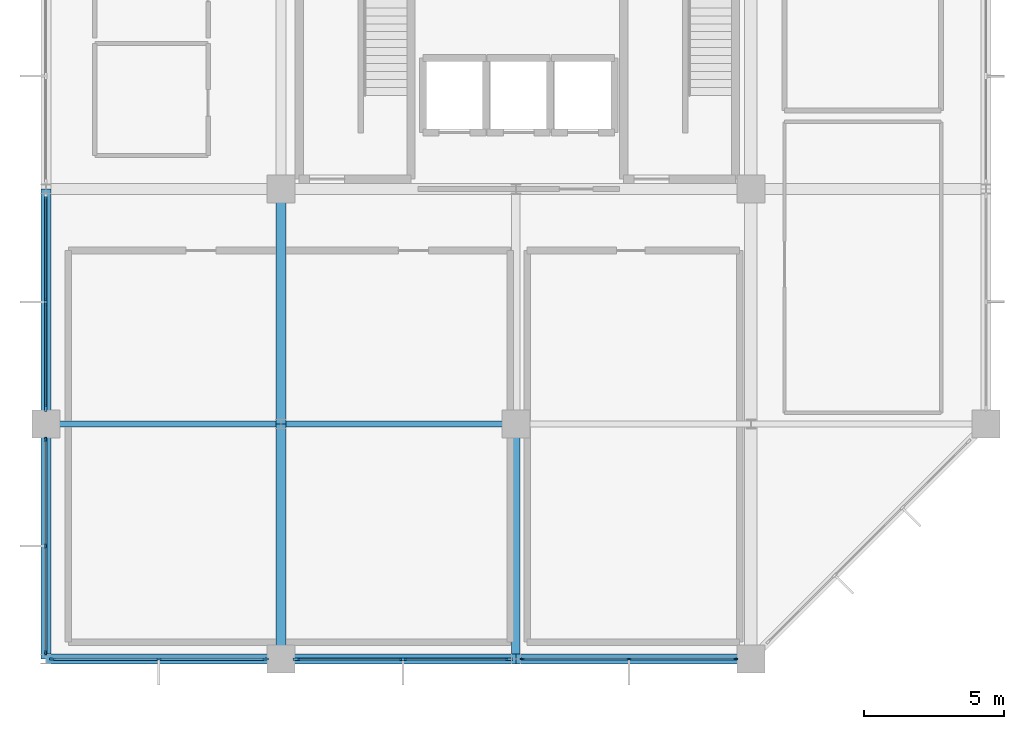
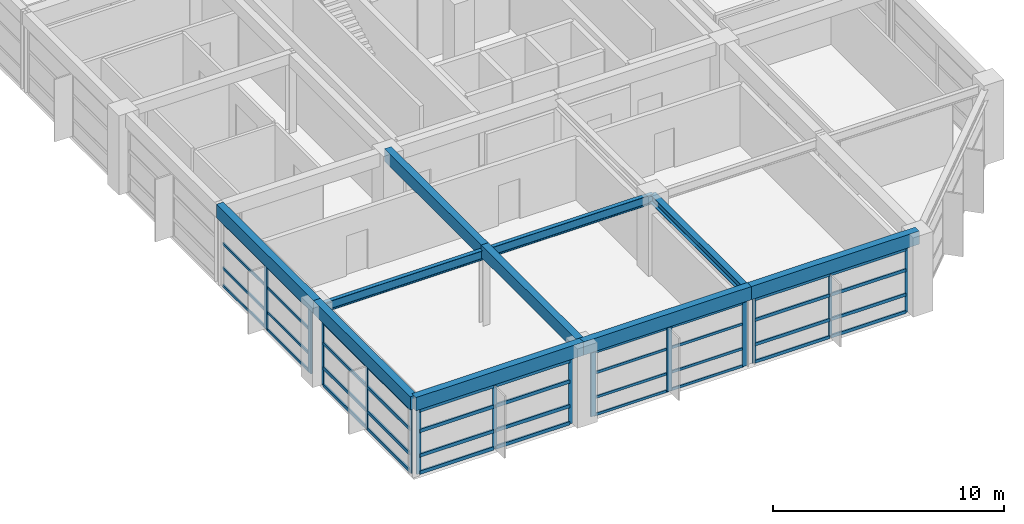
# One storey, part 3 of 16: 54 members, 10 beams, 5 elements without a shape of their own.
"""IFC4 building model written with IfcOpenShell, lengths in metres."""

from ifc_helpers import new_model, si_unit, direction, frame, origin, origin_2d, place, context, subcontext, project, spatial, rectangle, i_section, extrude, material, material_profile, profile_set, type_object, element, aggregate, save


model = new_model("IFC4")

# Units and contexts
model_context = context("Model", 3, precision=1e-05, world=origin(), true_north=direction((0.0, 1.0)))
body_context = subcontext(model_context, "Body", "Model", "MODEL_VIEW")
ifc_project = project(units=[si_unit("LENGTHUNIT", "METRE"), si_unit("AREAUNIT", "SQUARE_METRE"), si_unit("VOLUMEUNIT", "CUBIC_METRE"), si_unit("PLANEANGLEUNIT", "RADIAN"), si_unit("MASSUNIT", "GRAM", prefix="KILO")], contexts=[model_context])

# Site, building, storey
site_placement = place(None, origin())
site = spatial("IfcSite", under=ifc_project, at=site_placement, CompositionType="ELEMENT")
building_placement = place(site_placement, origin())
building = spatial("IfcBuilding", under=site, at=building_placement, Name="Xuanlan Plaza Opera House", CompositionType="ELEMENT")
storey_placement = place(building_placement, frame((0.0, 0.0, 48.89990234375)))
storey = spatial("IfcBuildingStorey", under=building, at=storey_placement, Name="L11", CompositionType="ELEMENT", Elevation=48.89990234375)

# Curtain wall, members
ifc_material_1 = material(Name="Anodised Aluminium 6063-T6 and Low-E Glass", Category="aluminium")
curtain_wall_type_1 = type_object("IfcCurtainWallType", Name="ENV-CW-CW-04", PredefinedType="USERDEFINED", material=ifc_material_1)
curtain_wall_1_placement = place(storey_placement, origin())
curtain_wall_1 = element("IfcCurtainWall", 1, at=curtain_wall_1_placement, inside=storey, type_object=curtain_wall_type_1, Name="Unitised Curtain Wall L11-003", ObjectType="UNITISED CURTAIN WALL", PredefinedType="USERDEFINED")
ifc_material_2 = material(Name="Anodised Aluminium 6063-T6", Category="aluminium")
ifc_material_profile_1 = material_profile(ifc_material_2, rectangle(XDim=0.06494140625, YDim=0.159912109375, at=origin_2d()), Name="ALU-M 65x160")
ifc_profile_set_1 = profile_set([ifc_material_profile_1], Name="Anodised Aluminium 6063-T6")
member_type_1 = type_object("IfcMemberType", Name="ENV-CWM-01", PredefinedType="MULLION", material=ifc_profile_set_1)
member_1_placement = place(storey_placement, frame((143.027587890625, 33.60009765625, 0.0), z_axis=(0.0, 0.0, 1.0), x_axis=(0.0, 1.0, 0.0)))
member_1 = element("IfcMember", 2, at=member_1_placement, type_object=member_type_1, Name="CW-04 mullion 1", PredefinedType="MULLION", context=body_context, shape_type="SweptSolid", body=[
    extrude(rectangle(XDim=0.06494140625, YDim=0.159912109375, at=origin_2d()), origin(), (0.0, 0.0, 1.0), 3.380126953125),
])
member_2_placement = place(storey_placement, frame((146.83740234375, 33.60009765625, 0.0), z_axis=(0.0, 0.0, 1.0), x_axis=(0.0, 1.0, 0.0)))
member_2 = element("IfcMember", 3, at=member_2_placement, type_object=member_type_1, Name="CW-04 mullion 2", PredefinedType="MULLION", context=body_context, shape_type="SweptSolid", body=[
    extrude(rectangle(XDim=0.06494140625, YDim=0.159912109375, at=origin_2d()), origin(), (0.0, 0.0, 1.0), 3.380126953125),
])
member_3_placement = place(storey_placement, frame((150.6474609375, 33.60009765625, 0.0), z_axis=(0.0, 0.0, 1.0), x_axis=(0.0, 1.0, 0.0)))
member_3 = element("IfcMember", 4, at=member_3_placement, type_object=member_type_1, Name="CW-04 mullion 3", PredefinedType="MULLION", context=body_context, shape_type="SweptSolid", body=[
    extrude(rectangle(XDim=0.06494140625, YDim=0.159912109375, at=origin_2d()), origin(), (0.0, 0.0, 1.0), 3.380126953125),
])

curtain_wall_type_2 = type_object("IfcCurtainWallType", Name="ENV-CW-CW-03", PredefinedType="USERDEFINED", material=ifc_material_1)
curtain_wall_2_placement = place(storey_placement, origin())
curtain_wall_2 = element("IfcCurtainWall", 5, at=curtain_wall_2_placement, inside=storey, type_object=curtain_wall_type_2, Name="Unitised Curtain Wall L11-018", ObjectType="UNITISED CURTAIN WALL", PredefinedType="USERDEFINED")
member_4_placement = place(storey_placement, frame((126.0, 41.447509765625, 0.0), z_axis=(0.0, 0.0, 1.0), x_axis=(1.0, 0.0, 0.0)))
member_4 = element("IfcMember", 6, at=member_4_placement, type_object=member_type_1, Name="CW-03 mullion 1", PredefinedType="MULLION", context=body_context, shape_type="SweptSolid", body=[
    extrude(rectangle(XDim=0.06494140625, YDim=0.159912109375, at=origin_2d()), origin(), (0.0, 0.0, 1.0), 3.380126953125),
])
member_5_placement = place(storey_placement, frame((126.0, 37.637451171875, 0.0), z_axis=(0.0, 0.0, 1.0), x_axis=(1.0, 0.0, 0.0)))
member_5 = element("IfcMember", 7, at=member_5_placement, type_object=member_type_1, Name="CW-03 mullion 2", PredefinedType="MULLION", context=body_context, shape_type="SweptSolid", body=[
    extrude(rectangle(XDim=0.06494140625, YDim=0.159912109375, at=origin_2d()), origin(), (0.0, 0.0, 1.0), 3.380126953125),
])
member_6_placement = place(storey_placement, frame((126.0, 33.827392578125, 0.0), z_axis=(0.0, 0.0, 1.0), x_axis=(1.0, 0.0, 0.0)))
member_6 = element("IfcMember", 8, at=member_6_placement, type_object=member_type_1, Name="CW-03 mullion 3", PredefinedType="MULLION", context=body_context, shape_type="SweptSolid", body=[
    extrude(rectangle(XDim=0.06494140625, YDim=0.159912109375, at=origin_2d()), origin(), (0.0, 0.0, 1.0), 3.380126953125),
])

curtain_wall_type_3 = type_object("IfcCurtainWallType", Name="ENV-CW-CW-02", PredefinedType="USERDEFINED", material=ifc_material_1)
curtain_wall_3_placement = place(storey_placement, origin())
curtain_wall_3 = element("IfcCurtainWall", 9, at=curtain_wall_3_placement, inside=storey, type_object=curtain_wall_type_3, Name="Unitised Curtain Wall L11-001", ObjectType="UNITISED CURTAIN WALL", PredefinedType="USERDEFINED")
ifc_material_profile_2 = material_profile(ifc_material_2, rectangle(XDim=0.080078125, YDim=0.219970703125, at=origin_2d()), Name="ALU-M 80x220")
ifc_profile_set_2 = profile_set([ifc_material_profile_2], Name="Anodised Aluminium 6063-T6")
member_type_2 = type_object("IfcMemberType", Name="ENV-CWM-04", PredefinedType="MULLION", material=ifc_profile_set_2)
member_7_placement = place(storey_placement, frame((126.235107421875, 33.60009765625, 0.0), z_axis=(0.0, 0.0, 1.0), x_axis=(0.0, 1.0, 0.0)))
member_7 = element("IfcMember", 10, at=member_7_placement, type_object=member_type_2, Name="CW-02 mullion 1", PredefinedType="MULLION", context=body_context, shape_type="SweptSolid", body=[
    extrude(rectangle(XDim=0.080078125, YDim=0.219970703125, at=origin_2d()), origin(), (0.0, 0.0, 1.0), 3.380126953125),
])
member_8_placement = place(storey_placement, frame((130.03759765625, 33.60009765625, 0.0), z_axis=(0.0, 0.0, 1.0), x_axis=(0.0, 1.0, 0.0)))
member_8 = element("IfcMember", 11, at=member_8_placement, type_object=member_type_2, Name="CW-02 mullion 2", PredefinedType="MULLION", context=body_context, shape_type="SweptSolid", body=[
    extrude(rectangle(XDim=0.080078125, YDim=0.219970703125, at=origin_2d()), origin(), (0.0, 0.0, 1.0), 3.380126953125),
])
member_9_placement = place(storey_placement, frame((133.840087890625, 33.60009765625, 0.0), z_axis=(0.0, 0.0, 1.0), x_axis=(0.0, 1.0, 0.0)))
member_9 = element("IfcMember", 12, at=member_9_placement, type_object=member_type_2, Name="CW-02 mullion 3", PredefinedType="MULLION", context=body_context, shape_type="SweptSolid", body=[
    extrude(rectangle(XDim=0.080078125, YDim=0.219970703125, at=origin_2d()), origin(), (0.0, 0.0, 1.0), 3.380126953125),
])

curtain_wall_4_placement = place(storey_placement, origin())
curtain_wall_4 = element("IfcCurtainWall", 13, at=curtain_wall_4_placement, inside=storey, type_object=curtain_wall_type_2, Name="Unitised Curtain Wall L11-002", ObjectType="UNITISED CURTAIN WALL", PredefinedType="USERDEFINED")
ifc_material_profile_3 = material_profile(ifc_material_2, rectangle(XDim=0.090087890625, YDim=0.25, at=origin_2d()), Name="ALU-M 90x250")
ifc_profile_set_3 = profile_set([ifc_material_profile_3], Name="Anodised Aluminium 6063-T6")
member_type_3 = type_object("IfcMemberType", Name="ENV-CWM-05", PredefinedType="MULLION", material=ifc_profile_set_3)
member_10_placement = place(storey_placement, frame((134.965087890625, 33.60009765625, 0.0), z_axis=(0.0, 0.0, 1.0), x_axis=(0.0, 1.0, 0.0)))
member_10 = element("IfcMember", 14, at=member_10_placement, type_object=member_type_3, Name="CW-03 mullion 1", PredefinedType="MULLION", context=body_context, shape_type="SweptSolid", body=[
    extrude(rectangle(XDim=0.090087890625, YDim=0.25, at=origin_2d()), origin(), (0.0, 0.0, 1.0), 3.380126953125),
])
member_11_placement = place(storey_placement, frame((138.762451171875, 33.60009765625, 0.0), z_axis=(0.0, 0.0, 1.0), x_axis=(0.0, 1.0, 0.0)))
member_11 = element("IfcMember", 15, at=member_11_placement, type_object=member_type_3, Name="CW-03 mullion 2", PredefinedType="MULLION", context=body_context, shape_type="SweptSolid", body=[
    extrude(rectangle(XDim=0.090087890625, YDim=0.25, at=origin_2d()), origin(), (0.0, 0.0, 1.0), 3.380126953125),
])
member_12_placement = place(storey_placement, frame((142.56005859375, 33.60009765625, 0.0), z_axis=(0.0, 0.0, 1.0), x_axis=(0.0, 1.0, 0.0)))
member_12 = element("IfcMember", 16, at=member_12_placement, type_object=member_type_3, Name="CW-03 mullion 3", PredefinedType="MULLION", context=body_context, shape_type="SweptSolid", body=[
    extrude(rectangle(XDim=0.090087890625, YDim=0.25, at=origin_2d()), origin(), (0.0, 0.0, 1.0), 3.380126953125),
])

curtain_wall_5_placement = place(storey_placement, origin())
curtain_wall_5 = element("IfcCurtainWall", 17, at=curtain_wall_5_placement, inside=storey, type_object=curtain_wall_type_3, Name="Unitised Curtain Wall L11-017", ObjectType="UNITISED CURTAIN WALL", PredefinedType="USERDEFINED")
member_13_placement = place(storey_placement, frame((126.0, 46.362548828125, 0.0), z_axis=(0.0, 0.0, 1.0), x_axis=(1.0, 0.0, 0.0)))
member_13 = element("IfcMember", 18, at=member_13_placement, type_object=member_type_3, Name="CW-02 mullion 2", PredefinedType="MULLION", context=body_context, shape_type="SweptSolid", body=[
    extrude(rectangle(XDim=0.090087890625, YDim=0.25, at=origin_2d()), origin(), (0.0, 0.0, 1.0), 3.380126953125),
])
member_14_placement = place(storey_placement, frame((126.0, 42.56494140625, 0.0), z_axis=(0.0, 0.0, 1.0), x_axis=(1.0, 0.0, 0.0)))
member_14 = element("IfcMember", 19, at=member_14_placement, type_object=member_type_3, Name="CW-02 mullion 3", PredefinedType="MULLION", context=body_context, shape_type="SweptSolid", body=[
    extrude(rectangle(XDim=0.090087890625, YDim=0.25, at=origin_2d()), origin(), (0.0, 0.0, 1.0), 3.380126953125),
])

# Member
ifc_material_profile_4 = material_profile(ifc_material_2, rectangle(XDim=0.070068359375, YDim=0.135009765625, at=origin_2d()), Name="ALU-T 70x135")
ifc_profile_set_4 = profile_set([ifc_material_profile_4], Name="Anodised Aluminium 6063-T6")
member_type_4 = type_object("IfcMemberType", Name="ENV-CWT-02", PredefinedType="USERDEFINED", material=ifc_profile_set_4)
member_15_placement = place(storey_placement, frame((135.010009765625, 33.60009765625, 0.03515625), z_axis=(1.0, 0.0, 0.0), x_axis=(0.0, 1.0, 0.0)))
member_15 = element("IfcMember", 20, at=member_15_placement, type_object=member_type_4, Name="CW-03 transom 1.1", ObjectType="TRANSOM", PredefinedType="USERDEFINED", context=body_context, shape_type="SweptSolid", body=[
    extrude(rectangle(XDim=0.070068359375, YDim=0.135009765625, at=origin_2d()), origin(), (0.0, 0.0, 1.0), 3.70751953125),
])

member_16_placement = place(storey_placement, frame((135.010009765625, 33.60009765625, 0.9501953125), z_axis=(1.0, 0.0, 0.0), x_axis=(0.0, 1.0, 0.0)))
member_16 = element("IfcMember", 21, at=member_16_placement, type_object=member_type_4, Name="CW-03 transom 1.2", ObjectType="TRANSOM", PredefinedType="USERDEFINED", context=body_context, shape_type="SweptSolid", body=[
    extrude(rectangle(XDim=0.070068359375, YDim=0.135009765625, at=origin_2d()), origin(), (0.0, 0.0, 1.0), 3.70751953125),
])

member_17_placement = place(storey_placement, frame((135.010009765625, 33.60009765625, 2.25), z_axis=(1.0, 0.0, 0.0), x_axis=(0.0, 1.0, 0.0)))
member_17 = element("IfcMember", 22, at=member_17_placement, type_object=member_type_4, Name="CW-03 transom 1.3", ObjectType="TRANSOM", PredefinedType="USERDEFINED", context=body_context, shape_type="SweptSolid", body=[
    extrude(rectangle(XDim=0.070068359375, YDim=0.135009765625, at=origin_2d()), origin(), (0.0, 0.0, 1.0), 3.70751953125),
])

member_18_placement = place(storey_placement, frame((135.010009765625, 33.60009765625, 3.34521484375), z_axis=(1.0, 0.0, 0.0), x_axis=(0.0, 1.0, 0.0)))
member_18 = element("IfcMember", 23, at=member_18_placement, type_object=member_type_4, Name="CW-03 transom 1.4", ObjectType="TRANSOM", PredefinedType="USERDEFINED", context=body_context, shape_type="SweptSolid", body=[
    extrude(rectangle(XDim=0.070068359375, YDim=0.135009765625, at=origin_2d()), origin(), (0.0, 0.0, 1.0), 3.70751953125),
])

member_19_placement = place(storey_placement, frame((138.8076171875, 33.60009765625, 0.03515625), z_axis=(1.0, 0.0, 0.0), x_axis=(0.0, 1.0, 0.0)))
member_19 = element("IfcMember", 24, at=member_19_placement, type_object=member_type_4, Name="CW-03 transom 2.1", ObjectType="TRANSOM", PredefinedType="USERDEFINED", context=body_context, shape_type="SweptSolid", body=[
    extrude(rectangle(XDim=0.070068359375, YDim=0.135009765625, at=origin_2d()), origin(), (0.0, 0.0, 1.0), 3.707275390625),
])

member_20_placement = place(storey_placement, frame((138.8076171875, 33.60009765625, 0.9501953125), z_axis=(1.0, 0.0, 0.0), x_axis=(0.0, 1.0, 0.0)))
member_20 = element("IfcMember", 25, at=member_20_placement, type_object=member_type_4, Name="CW-03 transom 2.2", ObjectType="TRANSOM", PredefinedType="USERDEFINED", context=body_context, shape_type="SweptSolid", body=[
    extrude(rectangle(XDim=0.070068359375, YDim=0.135009765625, at=origin_2d()), origin(), (0.0, 0.0, 1.0), 3.707275390625),
])

member_21_placement = place(storey_placement, frame((138.8076171875, 33.60009765625, 2.25), z_axis=(1.0, 0.0, 0.0), x_axis=(0.0, 1.0, 0.0)))
member_21 = element("IfcMember", 26, at=member_21_placement, type_object=member_type_4, Name="CW-03 transom 2.3", ObjectType="TRANSOM", PredefinedType="USERDEFINED", context=body_context, shape_type="SweptSolid", body=[
    extrude(rectangle(XDim=0.070068359375, YDim=0.135009765625, at=origin_2d()), origin(), (0.0, 0.0, 1.0), 3.707275390625),
])

member_22_placement = place(storey_placement, frame((138.8076171875, 33.60009765625, 3.34521484375), z_axis=(1.0, 0.0, 0.0), x_axis=(0.0, 1.0, 0.0)))
member_22 = element("IfcMember", 27, at=member_22_placement, type_object=member_type_4, Name="CW-03 transom 2.4", ObjectType="TRANSOM", PredefinedType="USERDEFINED", context=body_context, shape_type="SweptSolid", body=[
    extrude(rectangle(XDim=0.070068359375, YDim=0.135009765625, at=origin_2d()), origin(), (0.0, 0.0, 1.0), 3.707275390625),
])

aggregate(curtain_wall_4, [member_10, member_11, member_12, member_15, member_16, member_17, member_18, member_19, member_20, member_21, member_22])

member_23_placement = place(storey_placement, frame((126.0, 50.114990234375, 0.03515625), z_axis=(0.0, -1.0, 0.0), x_axis=(1.0, 0.0, 0.0)))
member_23 = element("IfcMember", 28, at=member_23_placement, type_object=member_type_4, Name="CW-02 transom 1.1", ObjectType="TRANSOM", PredefinedType="USERDEFINED", context=body_context, shape_type="SweptSolid", body=[
    extrude(rectangle(XDim=0.070068359375, YDim=0.135009765625, at=origin_2d()), origin(), (0.0, 0.0, 1.0), 3.70751953125),
])

member_24_placement = place(storey_placement, frame((126.0, 50.114990234375, 0.9501953125), z_axis=(0.0, -1.0, 0.0), x_axis=(1.0, 0.0, 0.0)))
member_24 = element("IfcMember", 29, at=member_24_placement, type_object=member_type_4, Name="CW-02 transom 1.2", ObjectType="TRANSOM", PredefinedType="USERDEFINED", context=body_context, shape_type="SweptSolid", body=[
    extrude(rectangle(XDim=0.070068359375, YDim=0.135009765625, at=origin_2d()), origin(), (0.0, 0.0, 1.0), 3.70751953125),
])

member_25_placement = place(storey_placement, frame((126.0, 50.114990234375, 2.25), z_axis=(0.0, -1.0, 0.0), x_axis=(1.0, 0.0, 0.0)))
member_25 = element("IfcMember", 30, at=member_25_placement, type_object=member_type_4, Name="CW-02 transom 1.3", ObjectType="TRANSOM", PredefinedType="USERDEFINED", context=body_context, shape_type="SweptSolid", body=[
    extrude(rectangle(XDim=0.070068359375, YDim=0.135009765625, at=origin_2d()), origin(), (0.0, 0.0, 1.0), 3.70751953125),
])

member_26_placement = place(storey_placement, frame((126.0, 50.114990234375, 3.34521484375), z_axis=(0.0, -1.0, 0.0), x_axis=(1.0, 0.0, 0.0)))
member_26 = element("IfcMember", 31, at=member_26_placement, type_object=member_type_4, Name="CW-02 transom 1.4", ObjectType="TRANSOM", PredefinedType="USERDEFINED", context=body_context, shape_type="SweptSolid", body=[
    extrude(rectangle(XDim=0.070068359375, YDim=0.135009765625, at=origin_2d()), origin(), (0.0, 0.0, 1.0), 3.70751953125),
])

member_27_placement = place(storey_placement, frame((126.0, 46.3173828125, 0.03515625), z_axis=(0.0, -1.0, 0.0), x_axis=(1.0, 0.0, 0.0)))
member_27 = element("IfcMember", 32, at=member_27_placement, type_object=member_type_4, Name="CW-02 transom 2.1", ObjectType="TRANSOM", PredefinedType="USERDEFINED", context=body_context, shape_type="SweptSolid", body=[
    extrude(rectangle(XDim=0.070068359375, YDim=0.135009765625, at=origin_2d()), origin(), (0.0, 0.0, 1.0), 3.707275390625),
])

member_28_placement = place(storey_placement, frame((126.0, 46.3173828125, 0.9501953125), z_axis=(0.0, -1.0, 0.0), x_axis=(1.0, 0.0, 0.0)))
member_28 = element("IfcMember", 33, at=member_28_placement, type_object=member_type_4, Name="CW-02 transom 2.2", ObjectType="TRANSOM", PredefinedType="USERDEFINED", context=body_context, shape_type="SweptSolid", body=[
    extrude(rectangle(XDim=0.070068359375, YDim=0.135009765625, at=origin_2d()), origin(), (0.0, 0.0, 1.0), 3.707275390625),
])

member_29_placement = place(storey_placement, frame((126.0, 46.3173828125, 2.25), z_axis=(0.0, -1.0, 0.0), x_axis=(1.0, 0.0, 0.0)))
member_29 = element("IfcMember", 34, at=member_29_placement, type_object=member_type_4, Name="CW-02 transom 2.3", ObjectType="TRANSOM", PredefinedType="USERDEFINED", context=body_context, shape_type="SweptSolid", body=[
    extrude(rectangle(XDim=0.070068359375, YDim=0.135009765625, at=origin_2d()), origin(), (0.0, 0.0, 1.0), 3.707275390625),
])

member_30_placement = place(storey_placement, frame((126.0, 46.3173828125, 3.34521484375), z_axis=(0.0, -1.0, 0.0), x_axis=(1.0, 0.0, 0.0)))
member_30 = element("IfcMember", 35, at=member_30_placement, type_object=member_type_4, Name="CW-02 transom 2.4", ObjectType="TRANSOM", PredefinedType="USERDEFINED", context=body_context, shape_type="SweptSolid", body=[
    extrude(rectangle(XDim=0.070068359375, YDim=0.135009765625, at=origin_2d()), origin(), (0.0, 0.0, 1.0), 3.707275390625),
])

aggregate(curtain_wall_5, [member_13, member_14, member_23, member_24, member_25, member_26, member_27, member_28, member_29, member_30])

ifc_material_profile_5 = material_profile(ifc_material_2, rectangle(XDim=0.080078125, YDim=0.1650390625, at=origin_2d()), Name="ALU-T 80x165")
ifc_profile_set_5 = profile_set([ifc_material_profile_5], Name="Anodised Aluminium 6063-T6")
member_type_5 = type_object("IfcMemberType", Name="ENV-CWT-04", PredefinedType="USERDEFINED", material=ifc_profile_set_5)
member_31_placement = place(storey_placement, frame((143.06005859375, 33.60009765625, 0.0400390625), z_axis=(1.0, 0.0, 0.0), x_axis=(0.0, 1.0, 0.0)))
member_31 = element("IfcMember", 36, at=member_31_placement, type_object=member_type_5, Name="CW-04 transom 1.1", ObjectType="TRANSOM", PredefinedType="USERDEFINED", context=body_context, shape_type="SweptSolid", body=[
    extrude(rectangle(XDim=0.080078125, YDim=0.1650390625, at=origin_2d()), origin(), (0.0, 0.0, 1.0), 3.744873046875),
])

member_32_placement = place(storey_placement, frame((143.06005859375, 33.60009765625, 0.9501953125), z_axis=(1.0, 0.0, 0.0), x_axis=(0.0, 1.0, 0.0)))
member_32 = element("IfcMember", 37, at=member_32_placement, type_object=member_type_5, Name="CW-04 transom 1.2", ObjectType="TRANSOM", PredefinedType="USERDEFINED", context=body_context, shape_type="SweptSolid", body=[
    extrude(rectangle(XDim=0.080078125, YDim=0.1650390625, at=origin_2d()), origin(), (0.0, 0.0, 1.0), 3.744873046875),
])

member_33_placement = place(storey_placement, frame((143.06005859375, 33.60009765625, 2.25), z_axis=(1.0, 0.0, 0.0), x_axis=(0.0, 1.0, 0.0)))
member_33 = element("IfcMember", 38, at=member_33_placement, type_object=member_type_5, Name="CW-04 transom 1.3", ObjectType="TRANSOM", PredefinedType="USERDEFINED", context=body_context, shape_type="SweptSolid", body=[
    extrude(rectangle(XDim=0.080078125, YDim=0.1650390625, at=origin_2d()), origin(), (0.0, 0.0, 1.0), 3.744873046875),
])

member_34_placement = place(storey_placement, frame((143.06005859375, 33.60009765625, 3.340087890625), z_axis=(1.0, 0.0, 0.0), x_axis=(0.0, 1.0, 0.0)))
member_34 = element("IfcMember", 39, at=member_34_placement, type_object=member_type_5, Name="CW-04 transom 1.4", ObjectType="TRANSOM", PredefinedType="USERDEFINED", context=body_context, shape_type="SweptSolid", body=[
    extrude(rectangle(XDim=0.080078125, YDim=0.1650390625, at=origin_2d()), origin(), (0.0, 0.0, 1.0), 3.744873046875),
])

member_35_placement = place(storey_placement, frame((146.8701171875, 33.60009765625, 0.0400390625), z_axis=(1.0, 0.0, 0.0), x_axis=(0.0, 1.0, 0.0)))
member_35 = element("IfcMember", 40, at=member_35_placement, type_object=member_type_5, Name="CW-04 transom 2.1", ObjectType="TRANSOM", PredefinedType="USERDEFINED", context=body_context, shape_type="SweptSolid", body=[
    extrude(rectangle(XDim=0.080078125, YDim=0.1650390625, at=origin_2d()), origin(), (0.0, 0.0, 1.0), 3.744873046875),
])

member_36_placement = place(storey_placement, frame((146.8701171875, 33.60009765625, 0.9501953125), z_axis=(1.0, 0.0, 0.0), x_axis=(0.0, 1.0, 0.0)))
member_36 = element("IfcMember", 41, at=member_36_placement, type_object=member_type_5, Name="CW-04 transom 2.2", ObjectType="TRANSOM", PredefinedType="USERDEFINED", context=body_context, shape_type="SweptSolid", body=[
    extrude(rectangle(XDim=0.080078125, YDim=0.1650390625, at=origin_2d()), origin(), (0.0, 0.0, 1.0), 3.744873046875),
])

member_37_placement = place(storey_placement, frame((146.8701171875, 33.60009765625, 2.25), z_axis=(1.0, 0.0, 0.0), x_axis=(0.0, 1.0, 0.0)))
member_37 = element("IfcMember", 42, at=member_37_placement, type_object=member_type_5, Name="CW-04 transom 2.3", ObjectType="TRANSOM", PredefinedType="USERDEFINED", context=body_context, shape_type="SweptSolid", body=[
    extrude(rectangle(XDim=0.080078125, YDim=0.1650390625, at=origin_2d()), origin(), (0.0, 0.0, 1.0), 3.744873046875),
])

member_38_placement = place(storey_placement, frame((146.8701171875, 33.60009765625, 3.340087890625), z_axis=(1.0, 0.0, 0.0), x_axis=(0.0, 1.0, 0.0)))
member_38 = element("IfcMember", 43, at=member_38_placement, type_object=member_type_5, Name="CW-04 transom 2.4", ObjectType="TRANSOM", PredefinedType="USERDEFINED", context=body_context, shape_type="SweptSolid", body=[
    extrude(rectangle(XDim=0.080078125, YDim=0.1650390625, at=origin_2d()), origin(), (0.0, 0.0, 1.0), 3.744873046875),
])

aggregate(curtain_wall_1, [member_1, member_2, member_3, member_31, member_32, member_33, member_34, member_35, member_36, member_37, member_38])

member_39_placement = place(storey_placement, frame((126.0, 41.4150390625, 0.0400390625), z_axis=(0.0, -1.0, 0.0), x_axis=(1.0, 0.0, 0.0)))
member_39 = element("IfcMember", 44, at=member_39_placement, type_object=member_type_5, Name="CW-03 transom 1.1", ObjectType="TRANSOM", PredefinedType="USERDEFINED", context=body_context, shape_type="SweptSolid", body=[
    extrude(rectangle(XDim=0.080078125, YDim=0.1650390625, at=origin_2d()), origin(), (0.0, 0.0, 1.0), 3.7451171875),
])

member_40_placement = place(storey_placement, frame((126.0, 41.4150390625, 0.9501953125), z_axis=(0.0, -1.0, 0.0), x_axis=(1.0, 0.0, 0.0)))
member_40 = element("IfcMember", 45, at=member_40_placement, type_object=member_type_5, Name="CW-03 transom 1.2", ObjectType="TRANSOM", PredefinedType="USERDEFINED", context=body_context, shape_type="SweptSolid", body=[
    extrude(rectangle(XDim=0.080078125, YDim=0.1650390625, at=origin_2d()), origin(), (0.0, 0.0, 1.0), 3.7451171875),
])

member_41_placement = place(storey_placement, frame((126.0, 41.4150390625, 2.25), z_axis=(0.0, -1.0, 0.0), x_axis=(1.0, 0.0, 0.0)))
member_41 = element("IfcMember", 46, at=member_41_placement, type_object=member_type_5, Name="CW-03 transom 1.3", ObjectType="TRANSOM", PredefinedType="USERDEFINED", context=body_context, shape_type="SweptSolid", body=[
    extrude(rectangle(XDim=0.080078125, YDim=0.1650390625, at=origin_2d()), origin(), (0.0, 0.0, 1.0), 3.7451171875),
])

member_42_placement = place(storey_placement, frame((126.0, 41.4150390625, 3.340087890625), z_axis=(0.0, -1.0, 0.0), x_axis=(1.0, 0.0, 0.0)))
member_42 = element("IfcMember", 47, at=member_42_placement, type_object=member_type_5, Name="CW-03 transom 1.4", ObjectType="TRANSOM", PredefinedType="USERDEFINED", context=body_context, shape_type="SweptSolid", body=[
    extrude(rectangle(XDim=0.080078125, YDim=0.1650390625, at=origin_2d()), origin(), (0.0, 0.0, 1.0), 3.7451171875),
])

member_43_placement = place(storey_placement, frame((126.0, 37.60498046875, 0.0400390625), z_axis=(0.0, -1.0, 0.0), x_axis=(1.0, 0.0, 0.0)))
member_43 = element("IfcMember", 48, at=member_43_placement, type_object=member_type_5, Name="CW-03 transom 2.1", ObjectType="TRANSOM", PredefinedType="USERDEFINED", context=body_context, shape_type="SweptSolid", body=[
    extrude(rectangle(XDim=0.080078125, YDim=0.1650390625, at=origin_2d()), origin(), (0.0, 0.0, 1.0), 3.744873046875),
])

member_44_placement = place(storey_placement, frame((126.0, 37.60498046875, 0.9501953125), z_axis=(0.0, -1.0, 0.0), x_axis=(1.0, 0.0, 0.0)))
member_44 = element("IfcMember", 49, at=member_44_placement, type_object=member_type_5, Name="CW-03 transom 2.2", ObjectType="TRANSOM", PredefinedType="USERDEFINED", context=body_context, shape_type="SweptSolid", body=[
    extrude(rectangle(XDim=0.080078125, YDim=0.1650390625, at=origin_2d()), origin(), (0.0, 0.0, 1.0), 3.744873046875),
])

member_45_placement = place(storey_placement, frame((126.0, 37.60498046875, 2.25), z_axis=(0.0, -1.0, 0.0), x_axis=(1.0, 0.0, 0.0)))
member_45 = element("IfcMember", 50, at=member_45_placement, type_object=member_type_5, Name="CW-03 transom 2.3", ObjectType="TRANSOM", PredefinedType="USERDEFINED", context=body_context, shape_type="SweptSolid", body=[
    extrude(rectangle(XDim=0.080078125, YDim=0.1650390625, at=origin_2d()), origin(), (0.0, 0.0, 1.0), 3.744873046875),
])

member_46_placement = place(storey_placement, frame((126.0, 37.60498046875, 3.340087890625), z_axis=(0.0, -1.0, 0.0), x_axis=(1.0, 0.0, 0.0)))
member_46 = element("IfcMember", 51, at=member_46_placement, type_object=member_type_5, Name="CW-03 transom 2.4", ObjectType="TRANSOM", PredefinedType="USERDEFINED", context=body_context, shape_type="SweptSolid", body=[
    extrude(rectangle(XDim=0.080078125, YDim=0.1650390625, at=origin_2d()), origin(), (0.0, 0.0, 1.0), 3.744873046875),
])

aggregate(curtain_wall_2, [member_4, member_5, member_6, member_39, member_40, member_41, member_42, member_43, member_44, member_45, member_46])

ifc_material_profile_6 = material_profile(ifc_material_2, rectangle(XDim=0.090087890625, YDim=0.179931640625, at=origin_2d()), Name="ALU-T 90x180")
ifc_profile_set_6 = profile_set([ifc_material_profile_6], Name="Anodised Aluminium 6063-T6")
member_type_6 = type_object("IfcMemberType", Name="ENV-CWT-05", PredefinedType="USERDEFINED", material=ifc_profile_set_6)
member_47_placement = place(storey_placement, frame((126.27490234375, 33.60009765625, 0.045166015625), z_axis=(1.0, 0.0, 0.0), x_axis=(0.0, 1.0, 0.0)))
member_47 = element("IfcMember", 52, at=member_47_placement, type_object=member_type_6, Name="CW-02 transom 1.1", ObjectType="TRANSOM", PredefinedType="USERDEFINED", context=body_context, shape_type="SweptSolid", body=[
    extrude(rectangle(XDim=0.090087890625, YDim=0.179931640625, at=origin_2d()), origin(), (0.0, 0.0, 1.0), 3.72265625),
])

member_48_placement = place(storey_placement, frame((126.27490234375, 33.60009765625, 0.9501953125), z_axis=(1.0, 0.0, 0.0), x_axis=(0.0, 1.0, 0.0)))
member_48 = element("IfcMember", 53, at=member_48_placement, type_object=member_type_6, Name="CW-02 transom 1.2", ObjectType="TRANSOM", PredefinedType="USERDEFINED", context=body_context, shape_type="SweptSolid", body=[
    extrude(rectangle(XDim=0.090087890625, YDim=0.179931640625, at=origin_2d()), origin(), (0.0, 0.0, 1.0), 3.72265625),
])

member_49_placement = place(storey_placement, frame((126.27490234375, 33.60009765625, 2.25), z_axis=(1.0, 0.0, 0.0), x_axis=(0.0, 1.0, 0.0)))
member_49 = element("IfcMember", 54, at=member_49_placement, type_object=member_type_6, Name="CW-02 transom 1.3", ObjectType="TRANSOM", PredefinedType="USERDEFINED", context=body_context, shape_type="SweptSolid", body=[
    extrude(rectangle(XDim=0.090087890625, YDim=0.179931640625, at=origin_2d()), origin(), (0.0, 0.0, 1.0), 3.72265625),
])

member_50_placement = place(storey_placement, frame((126.27490234375, 33.60009765625, 3.335205078125), z_axis=(1.0, 0.0, 0.0), x_axis=(0.0, 1.0, 0.0)))
member_50 = element("IfcMember", 55, at=member_50_placement, type_object=member_type_6, Name="CW-02 transom 1.4", ObjectType="TRANSOM", PredefinedType="USERDEFINED", context=body_context, shape_type="SweptSolid", body=[
    extrude(rectangle(XDim=0.090087890625, YDim=0.179931640625, at=origin_2d()), origin(), (0.0, 0.0, 1.0), 3.72265625),
])

member_51_placement = place(storey_placement, frame((130.077392578125, 33.60009765625, 0.045166015625), z_axis=(1.0, 0.0, 0.0), x_axis=(0.0, 1.0, 0.0)))
member_51 = element("IfcMember", 56, at=member_51_placement, type_object=member_type_6, Name="CW-02 transom 2.1", ObjectType="TRANSOM", PredefinedType="USERDEFINED", context=body_context, shape_type="SweptSolid", body=[
    extrude(rectangle(XDim=0.090087890625, YDim=0.179931640625, at=origin_2d()), origin(), (0.0, 0.0, 1.0), 3.72265625),
])

member_52_placement = place(storey_placement, frame((130.077392578125, 33.60009765625, 0.9501953125), z_axis=(1.0, 0.0, 0.0), x_axis=(0.0, 1.0, 0.0)))
member_52 = element("IfcMember", 57, at=member_52_placement, type_object=member_type_6, Name="CW-02 transom 2.2", ObjectType="TRANSOM", PredefinedType="USERDEFINED", context=body_context, shape_type="SweptSolid", body=[
    extrude(rectangle(XDim=0.090087890625, YDim=0.179931640625, at=origin_2d()), origin(), (0.0, 0.0, 1.0), 3.72265625),
])

member_53_placement = place(storey_placement, frame((130.077392578125, 33.60009765625, 2.25), z_axis=(1.0, 0.0, 0.0), x_axis=(0.0, 1.0, 0.0)))
member_53 = element("IfcMember", 58, at=member_53_placement, type_object=member_type_6, Name="CW-02 transom 2.3", ObjectType="TRANSOM", PredefinedType="USERDEFINED", context=body_context, shape_type="SweptSolid", body=[
    extrude(rectangle(XDim=0.090087890625, YDim=0.179931640625, at=origin_2d()), origin(), (0.0, 0.0, 1.0), 3.72265625),
])

member_54_placement = place(storey_placement, frame((130.077392578125, 33.60009765625, 3.335205078125), z_axis=(1.0, 0.0, 0.0), x_axis=(0.0, 1.0, 0.0)))
member_54 = element("IfcMember", 59, at=member_54_placement, type_object=member_type_6, Name="CW-02 transom 2.4", ObjectType="TRANSOM", PredefinedType="USERDEFINED", context=body_context, shape_type="SweptSolid", body=[
    extrude(rectangle(XDim=0.090087890625, YDim=0.179931640625, at=origin_2d()), origin(), (0.0, 0.0, 1.0), 3.72265625),
])

aggregate(curtain_wall_3, [member_7, member_8, member_9, member_47, member_48, member_49, member_50, member_51, member_52, member_53, member_54])

# Beams
ifc_material_3 = material(Name="Concrete C40", Category="concrete")
ifc_material_profile_7 = material_profile(ifc_material_3, rectangle(XDim=0.35009765625, YDim=0.64990234375, at=origin_2d()), Name="RC-BM 350x650")
ifc_profile_set_7 = profile_set([ifc_material_profile_7], Name="Concrete C40")
beam_type_1 = type_object("IfcBeamType", Name="STR-BM-B-08", PredefinedType="BEAM", material=ifc_profile_set_7)
for number, where, z_axis, x_axis, name in (
    (60, (134.39990234375, 33.60009765625, 3.875), (0.0, 1.0, 0.0), (-1.0, 0.0, 0.0), "Grid Beam Y L11 17/E-F"),
    (61, (134.39990234375, 42.0, 3.875), (0.0, 1.0, 0.0), (-1.0, 0.0, 0.0), "Grid Beam Y L11 17/F-G"),
):
    element("IfcBeam", number, at=place(storey_placement, frame(where, z_axis=z_axis, x_axis=x_axis)), inside=storey, type_object=beam_type_1, Name=name, PredefinedType="BEAM", context=body_context, shape_type="SweptSolid", body=[
        extrude(rectangle(XDim=0.35009765625, YDim=0.64990234375, at=origin_2d()), origin(), (0.0, 0.0, 1.0), 8.39990234375),
    ])
ifc_material_4 = material(Name="Steel Q355B", Category="steel")
ifc_material_profile_8 = material_profile(ifc_material_4, i_section(OverallWidth=0.199951171875, OverallDepth=0.5, WebThickness=0.010009765625, FlangeThickness=0.01611328125, FilletRadius=0.02001953125, at=origin_2d()), Name="HN 500x200x10x16")
ifc_profile_set_8 = profile_set([ifc_material_profile_8], Name="Steel Q355B")
beam_type_2 = type_object("IfcBeamType", Name="STR-BM-SB-05", PredefinedType="BEAM", material=ifc_profile_set_8)
beam_1_placement = place(storey_placement, frame((126.0, 42.0, 3.705078125), z_axis=(1.0, 0.0, 0.0), x_axis=(0.0, 1.0, 0.0)))
element("IfcBeam", 62, at=beam_1_placement, inside=storey, type_object=beam_type_2, Name="Grid Beam X L11 16-17/F", PredefinedType="BEAM", context=body_context, shape_type="SweptSolid", body=[
    extrude(i_section(OverallWidth=0.199951171875, OverallDepth=0.5, WebThickness=0.010009765625, FlangeThickness=0.01611328125, FilletRadius=0.02001953125, at=origin_2d()), origin(), (0.0, 0.0, 1.0), 8.39990234375),
])
beam_2_placement = place(storey_placement, frame((134.39990234375, 42.0, 3.705078125), z_axis=(1.0, 0.0, 0.0), x_axis=(0.0, 1.0, 0.0)))
element("IfcBeam", 63, at=beam_2_placement, inside=storey, type_object=beam_type_2, Name="Grid Beam X L11 17-18/F", PredefinedType="BEAM", context=body_context, shape_type="SweptSolid", body=[
    extrude(i_section(OverallWidth=0.199951171875, OverallDepth=0.5, WebThickness=0.010009765625, FlangeThickness=0.01611328125, FilletRadius=0.02001953125, at=origin_2d()), origin(), (0.0, 0.0, 1.0), 8.400146484375),
])
ifc_material_profile_9 = material_profile(ifc_material_4, i_section(OverallWidth=0.300048828125, OverallDepth=0.43994140625, WebThickness=0.010986328125, FlangeThickness=0.01806640625, FilletRadius=0.02001953125, at=origin_2d()), Name="HM 440x300x11x18")
ifc_profile_set_9 = profile_set([ifc_material_profile_9], Name="Steel Q355B")
beam_type_3 = type_object("IfcBeamType", Name="STR-BM-SB-08", PredefinedType="BEAM", material=ifc_profile_set_9)
beam_3_placement = place(storey_placement, frame((142.800048828125, 33.60009765625, 3.735107421875), z_axis=(0.0, 1.0, 0.0), x_axis=(-1.0, 0.0, 0.0)))
element("IfcBeam", 64, at=beam_3_placement, inside=storey, type_object=beam_type_3, Name="Grid Beam Y L11 18/E-F", PredefinedType="BEAM", context=body_context, shape_type="SweptSolid", body=[
    extrude(i_section(OverallWidth=0.300048828125, OverallDepth=0.43994140625, WebThickness=0.010986328125, FlangeThickness=0.01806640625, FilletRadius=0.02001953125, at=origin_2d()), origin(), (0.0, 0.0, 1.0), 8.39990234375),
])
ifc_material_profile_10 = material_profile(ifc_material_3, rectangle(XDim=0.35009765625, YDim=0.699951171875, at=origin_2d()), Name="RC-SPD 350x700")
ifc_profile_set_10 = profile_set([ifc_material_profile_10], Name="Concrete C40")
beam_type_4 = type_object("IfcBeamType", Name="STR-BM-SP-02", PredefinedType="SPANDREL", material=ifc_profile_set_10)
beam_4_placement = place(storey_placement, frame((126.0, 33.60009765625, 3.85009765625), z_axis=(1.0, 0.0, 0.0), x_axis=(0.0, 1.0, 0.0)))
element("IfcBeam", 65, at=beam_4_placement, inside=storey, type_object=beam_type_4, Name="Grid Beam X L11 16-17/E", PredefinedType="SPANDREL", context=body_context, shape_type="SweptSolid", body=[
    extrude(rectangle(XDim=0.35009765625, YDim=0.699951171875, at=origin_2d()), origin(), (0.0, 0.0, 1.0), 8.39990234375),
])
beam_5_placement = place(storey_placement, frame((134.39990234375, 33.60009765625, 3.85009765625), z_axis=(1.0, 0.0, 0.0), x_axis=(0.0, 1.0, 0.0)))
element("IfcBeam", 66, at=beam_5_placement, inside=storey, type_object=beam_type_4, Name="Grid Beam X L11 17-18/E", PredefinedType="SPANDREL", context=body_context, shape_type="SweptSolid", body=[
    extrude(rectangle(XDim=0.35009765625, YDim=0.699951171875, at=origin_2d()), origin(), (0.0, 0.0, 1.0), 8.400146484375),
])
for number, where, z_axis, x_axis, name in (
    (67, (142.800048828125, 33.60009765625, 3.85009765625), (1.0, 0.0, 0.0), (0.0, 1.0, 0.0), "Grid Beam X L11 18-19/E"),
    (68, (126.0, 33.60009765625, 3.85009765625), (0.0, 1.0, 0.0), (-1.0, 0.0, 0.0), "Grid Beam Y L11 16/E-F"),
    (69, (126.0, 42.0, 3.85009765625), (0.0, 1.0, 0.0), (-1.0, 0.0, 0.0), "Grid Beam Y L11 16/F-G"),
):
    element("IfcBeam", number, at=place(storey_placement, frame(where, z_axis=z_axis, x_axis=x_axis)), inside=storey, type_object=beam_type_4, Name=name, PredefinedType="SPANDREL", context=body_context, shape_type="SweptSolid", body=[
        extrude(rectangle(XDim=0.35009765625, YDim=0.699951171875, at=origin_2d()), origin(), (0.0, 0.0, 1.0), 8.39990234375),
    ])

save(model, "model.ifc")
